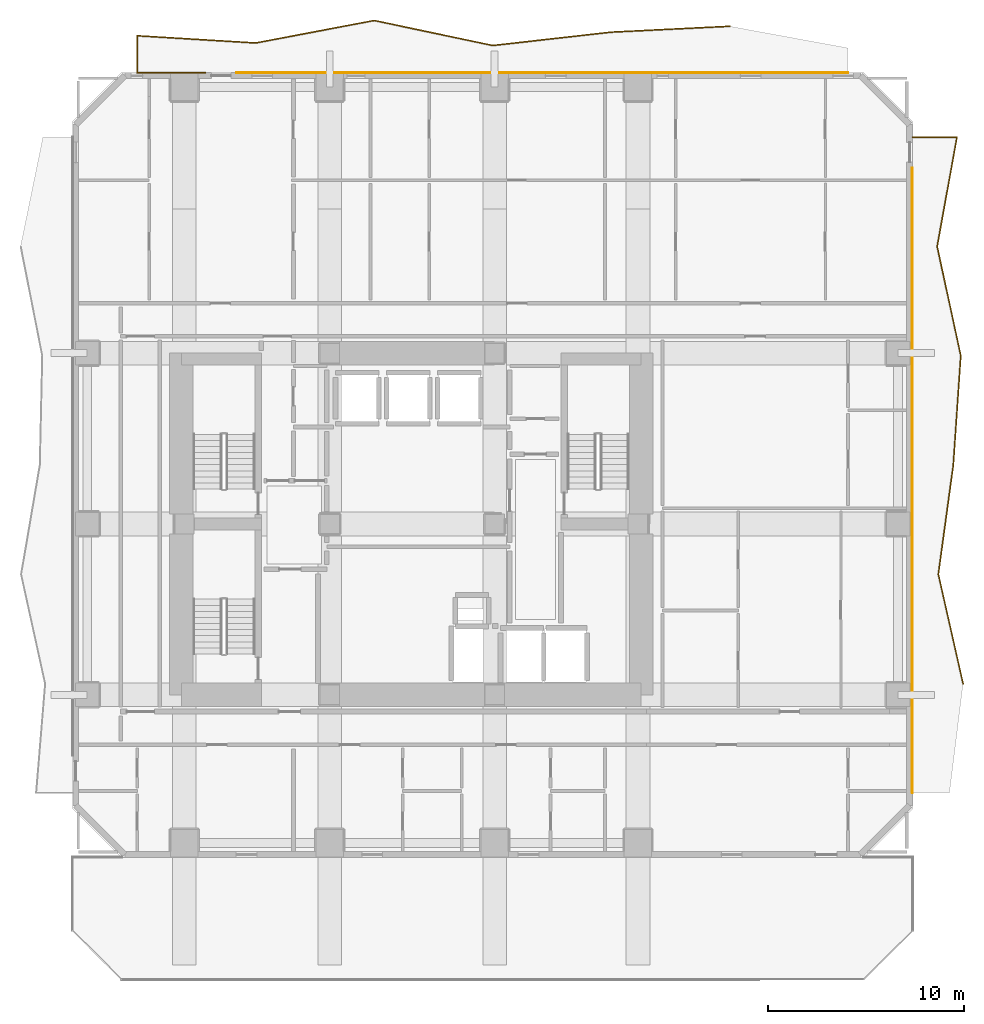
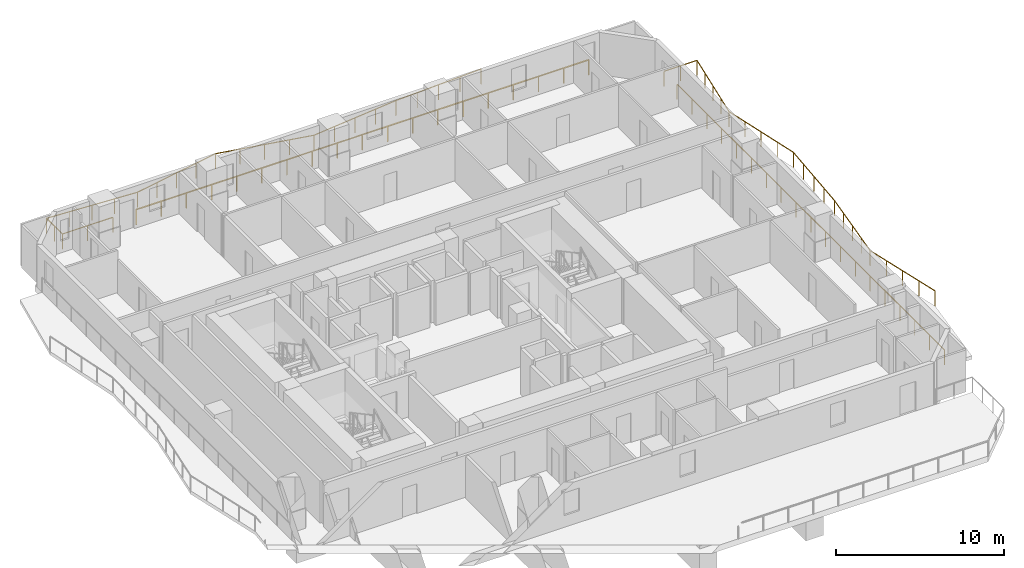
# One storey, part 11 of 11: 4 railings.
"""IFC4 building model written with IfcOpenShell, lengths in metres."""

import ifcopenshell
import ifcopenshell.guid

model = None  # the IFC model being written
_history = None  # IfcOwnerHistory: only IFC2X3 demands one
_inside = {}  # id of a spatial element -> (the spatial element, [elements in it])
_under = {}  # id of a project, library or spatial element -> (it, [spatial elements below it])
_declared = {}  # id of a project -> (the project, [libraries it declares])
_typed = {}  # id of a type object -> (the type object, [elements of that type])
_made_of = {}  # id of a material, layer set ... -> (it, [elements and type objects made of it])


def new_model(schema):
    """Start an empty IFC model of exactly this schema.

    Asked for "IFC4X3", IfcOpenShell would pick the latest addendum, in which some entities
    have other attributes; the version numbers below select the first issue.
    IFC2X3 requires an IfcOwnerHistory on every rooted entity: one is made here for all.
    """
    global model, _history
    if schema == "IFC4X3":
        model = ifcopenshell.file(schema_version=(4, 3, 0, 0))
    else:
        model = ifcopenshell.file(schema=schema)
    _inside.clear()
    _under.clear()
    _declared.clear()
    _typed.clear()
    _made_of.clear()
    _history = None
    if model.schema == "IFC2X3":
        org = make("IfcOrganization", Name="unknown")
        user = make(
            "IfcPersonAndOrganization",
            ThePerson=make("IfcPerson", FamilyName="unknown"),
            TheOrganization=org,
        )
        app = make(
            "IfcApplication",
            ApplicationDeveloper=org,
            Version="unknown",
            ApplicationFullName="unknown",
            ApplicationIdentifier="unknown",
        )
        _history = make(
            "IfcOwnerHistory",
            OwningUser=user,
            OwningApplication=app,
            ChangeAction="ADDED",
            CreationDate=0,
        )
    return model


def make(cls, **values):
    """One entity of the class cls with the attributes given. An attribute that is None is left unset."""
    return model.create_entity(
        cls, **{name: value for name, value in values.items() if value is not None}
    )


def rooted(cls, **values):
    """An entity with a GlobalId (a new one), such as an element, a storey or a relation."""
    return make(cls, GlobalId=ifcopenshell.guid.new(), OwnerHistory=_history, **values)


def si_unit(unit_type, name, prefix=None):
    """IfcSIUnit, for example si_unit("LENGTHUNIT", "METRE", prefix="MILLI")."""
    return make("IfcSIUnit", UnitType=unit_type, Prefix=prefix, Name=name)


def assignment(units):
    """IfcUnitAssignment: the units of a project."""
    return None if units is None else make("IfcUnitAssignment", Units=units)


def point(xyz):
    """IfcCartesianPoint."""
    return None if xyz is None else make("IfcCartesianPoint", Coordinates=xyz)


def direction(xyz):
    """IfcDirection."""
    return None if xyz is None else make("IfcDirection", DirectionRatios=xyz)


def frame(location, z_axis=None, x_axis=None):
    """IfcAxis2Placement3D, a coordinate frame: its origin and axes. An axis left out is left unset."""
    return make(
        "IfcAxis2Placement3D",
        Location=point(location),
        Axis=direction(z_axis),
        RefDirection=direction(x_axis),
    )


def frame_2d(location, x_axis=None):
    """IfcAxis2Placement2D, a coordinate frame in the plane: its origin and x axis."""
    return make(
        "IfcAxis2Placement2D", Location=point(location), RefDirection=direction(x_axis)
    )


def origin():
    """The frame at (0, 0, 0) with its axes left unset."""
    return frame((0.0, 0.0, 0.0))


def origin_2d():
    """The frame at (0, 0) in the plane with its x axis left unset."""
    return frame_2d((0.0, 0.0))


def place(relative_to, where):
    """IfcLocalPlacement: puts the frame where relative to a parent placement (None: the world)."""
    return make(
        "IfcLocalPlacement", PlacementRelTo=relative_to, RelativePlacement=where
    )


def context(
    kind, dimensions, precision=None, world=None, true_north=None, identifier=None
):
    """IfcGeometricRepresentationContext, for example the 3D "Model" context."""
    return make(
        "IfcGeometricRepresentationContext",
        ContextIdentifier=identifier,
        ContextType=kind,
        CoordinateSpaceDimension=dimensions,
        Precision=precision,
        WorldCoordinateSystem=world,
        TrueNorth=true_north,
    )


def subcontext(parent, identifier, kind, view, scale=None):
    """IfcGeometricRepresentationSubContext, for example "Body" below "Model"."""
    return make(
        "IfcGeometricRepresentationSubContext",
        ContextIdentifier=identifier,
        ContextType=kind,
        ParentContext=parent,
        TargetScale=scale,
        TargetView=view,
    )


def project(units=None, contexts=None):
    """IfcProject with its units and contexts."""
    return rooted(
        "IfcProject",
        Name="project",
        RepresentationContexts=contexts,
        UnitsInContext=assignment(units),
    )


def spatial(cls, under=None, at=None, **own):
    """A site, building, storey or space (cls), placed at a placement, below another one or the project."""
    s = rooted(cls, ObjectPlacement=at, **own)
    if under is not None:
        _under.setdefault(under.id(), (under, []))[1].append(s)
    return s


def profile(cls, at=None, kind="AREA", **sizes):
    """A parametric profile (cls). Its sizes go by their IFC names, for example OverallWidth=200.0."""
    return make(cls, ProfileType=kind, Position=at, **sizes)


def rectangle(**sizes):
    """IfcRectangleProfileDef."""
    return profile("IfcRectangleProfileDef", **sizes)


def extrude(swept, where, along, depth):
    """IfcExtrudedAreaSolid: the profile swept, set in the frame where, extruded along a direction by depth."""
    return make(
        "IfcExtrudedAreaSolid",
        SweptArea=swept,
        Position=where,
        ExtrudedDirection=direction(along),
        Depth=depth,
    )


def shape(context_of_items, identifier, shape_type, items):
    """IfcShapeRepresentation: the items that make up one representation, for example the "Body"."""
    return make(
        "IfcShapeRepresentation",
        ContextOfItems=context_of_items,
        RepresentationIdentifier=identifier,
        RepresentationType=shape_type,
        Items=items,
    )


def material(Name=None, Category=None):
    """IfcMaterial."""
    return make("IfcMaterial", Name=Name, Category=Category)


def made_of(thing, what):
    """Note that an element or type object is made of a material, layer set ...; save() writes the relation."""
    if what is not None:
        _made_of.setdefault(what.id(), (what, []))[1].append(thing)
    return thing


def type_object(cls, material=None, **own):
    """A type object (cls), such as IfcWallType, which elements share."""
    return made_of(rooted(cls, **own), material)


def element(
    cls,
    number,
    at=None,
    inside=None,
    cuts=None,
    type_object=None,
    material=None,
    context=None,
    identifier="Body",
    shape_type=None,
    held_by="IfcProductDefinitionShape",
    body=None,
    shapes=None,
    **own,
):
    """One element of the class cls, such as IfcWall. Its Tag is "e" and its number.

    at: its placement. inside: the storey or other place that contains it. cuts: it is an
    opening in that element (IfcRelVoidsElement). A single representation is given by context,
    identifier, shape_type and body (its items); several are given by shapes. held_by: the class
    of the entity that holds the representations. save() writes the other relations.
    """
    e = rooted(cls, Tag="e%d" % number, ObjectPlacement=at, **own)
    if body is not None:
        shapes = [shape(context, identifier, shape_type, body)]
    if shapes is not None:
        e.Representation = make(held_by, Representations=shapes)
    if inside is not None:
        _inside.setdefault(inside.id(), (inside, []))[1].append(e)
    if cuts is not None:
        rooted(
            "IfcRelVoidsElement", RelatingBuildingElement=cuts, RelatedOpeningElement=e
        )
    if type_object is not None:
        _typed.setdefault(type_object.id(), (type_object, []))[1].append(e)
    return made_of(e, material)


def aggregate(whole, parts):
    """IfcRelAggregates: a whole, such as a stair, and the parts it consists of."""
    return rooted("IfcRelAggregates", RelatingObject=whole, RelatedObjects=parts)


def save(model, path):
    """Write the relations noted so far, then the file.

    IfcRelAggregates (storeys below a building ...), IfcRelContainedInSpatialStructure (elements
    in a storey), IfcRelDefinesByType, IfcRelAssociatesMaterial and IfcRelDeclares: one each for
    every whole, place, type object, material and project.
    """
    for whole, parts in _under.values():
        aggregate(whole, parts)
    for where, things in _inside.values():
        rooted(
            "IfcRelContainedInSpatialStructure",
            RelatedElements=things,
            RelatingStructure=where,
        )
    for kind, things in _typed.values():
        rooted("IfcRelDefinesByType", RelatedObjects=things, RelatingType=kind)
    for what, things in _made_of.values():
        rooted("IfcRelAssociatesMaterial", RelatedObjects=things, RelatingMaterial=what)
    for by, libraries in _declared.values():
        rooted("IfcRelDeclares", RelatingContext=by, RelatedDefinitions=libraries)
    model.write(path)


model = new_model("IFC4")

# Units and contexts
model_context = context("Model", 3, precision=1e-05, world=origin(), true_north=direction((0.0, 1.0)))
body_context = subcontext(model_context, "Body", "Model", "MODEL_VIEW")
ifc_project = project(units=[si_unit("LENGTHUNIT", "METRE"), si_unit("AREAUNIT", "SQUARE_METRE"), si_unit("VOLUMEUNIT", "CUBIC_METRE"), si_unit("PLANEANGLEUNIT", "RADIAN"), si_unit("MASSUNIT", "GRAM", prefix="KILO")], contexts=[model_context])

# Site, building, storey
site_placement = place(None, origin())
site = spatial("IfcSite", under=ifc_project, at=site_placement, CompositionType="ELEMENT")
building_placement = place(site_placement, origin())
building = spatial("IfcBuilding", under=site, at=building_placement, Name="Solanera Arch Residences", CompositionType="ELEMENT")
storey_placement = place(building_placement, frame((0.0, 0.0, 61.840087890625)))
storey = spatial("IfcBuildingStorey", under=building, at=storey_placement, Name="L17", CompositionType="ELEMENT", Elevation=61.840087890625)

# Railings
ifc_material = material(Name="Steel S355 (ASTM A992 / A572 Grade 50)", Category="steel")
railing_type = type_object("IfcRailingType", Name="Balustrade Railing BL-1100", PredefinedType="BALUSTRADE", material=ifc_material)
railing_1_placement = place(storey_placement, frame((41.1669921875, 56.050048828125, 0.0)))
element("IfcRailing", 1, at=railing_1_placement, inside=storey, type_object=railing_type, Name="L17 N Balcony Balustrade 1", PredefinedType="BALUSTRADE", context=body_context, shape_type="SweptSolid", body=[
    extrude(rectangle(XDim=0.048095703125, YDim=0.048095703125, at=origin_2d()), frame((0.0, 0.0, 1.09619140625), z_axis=(-0.998773911962, -0.049504270368, 0.0), x_axis=(0.049504270368, -0.998773911962, 0.0)), (0.0, 0.0, 1.0), 6.041259765625),
    extrude(rectangle(XDim=0.048095703125, YDim=0.048095703125, at=origin_2d()), frame((-6.033935546875, -0.299072265625, 1.09619140625), z_axis=(-0.993708903149, -0.111993820374, 0.0), x_axis=(0.111993820374, -0.993708903149, 0.0)), (0.0, 0.0, 1.0), 6.071044921875),
    extrude(rectangle(XDim=0.048095703125, YDim=0.048095703125, at=origin_2d()), frame((-12.06689453125, -0.97900390625, 1.09619140625), z_axis=(-0.978458106431, 0.206445474544, 0.0), x_axis=(-0.206445474544, -0.978458106431, 0.0)), (0.0, 0.0, 1.0), 6.166015625),
    extrude(rectangle(XDim=0.048095703125, YDim=0.048095703125, at=origin_2d()), frame((-18.10009765625, 0.2939453125, 1.09619140625), z_axis=(-0.982496184627, -0.186282707714, 0.0), x_axis=(0.186282707714, -0.982496184627, 0.0)), (0.0, 0.0, 1.0), 6.141357421875),
    extrude(rectangle(XDim=0.048095703125, YDim=0.048095703125, at=origin_2d()), frame((-24.134033203125, -0.85009765625, 1.09619140625), z_axis=(-0.998165169029, 0.060549940851, 0.0), x_axis=(-0.060549940851, -0.998165169029, 0.0)), (0.0, 0.0, 1.0), 6.0439453125),
    extrude(rectangle(XDim=0.048095703125, YDim=0.048095703125, at=origin_2d()), frame((-30.1669921875, -0.484130859375, 1.09619140625), z_axis=(0.0, -1.0, 0.0), x_axis=(1.0, 0.0, 0.0)), (0.0, 0.0, 1.0), 1.885986328125),
    extrude(rectangle(XDim=0.048095703125, YDim=0.048095703125, at=origin_2d()), frame((-30.1669921875, -2.3701171875, 1.09619140625), z_axis=(1.0, 0.0, 0.0), x_axis=(0.0, 1.0, 0.0)), (0.0, 0.0, 1.0), 3.468017578125),
    extrude(rectangle(XDim=0.0419921875, YDim=0.0419921875, at=origin_2d()), origin(), (0.0, 0.0, 1.0), 1.072021484375),
    extrude(rectangle(XDim=0.0419921875, YDim=0.0419921875, at=origin_2d()), frame((-1.508544921875, -0.07470703125, 0.0)), (0.0, 0.0, 1.0), 1.072021484375),
    extrude(rectangle(XDim=0.0419921875, YDim=0.0419921875, at=origin_2d()), frame((-3.01708984375, -0.1494140625, 0.0)), (0.0, 0.0, 1.0), 1.072021484375),
    extrude(rectangle(XDim=0.0419921875, YDim=0.0419921875, at=origin_2d()), frame((-4.525390625, -0.224365234375, 0.0)), (0.0, 0.0, 1.0), 1.072021484375),
    extrude(rectangle(XDim=0.0419921875, YDim=0.0419921875, at=origin_2d()), frame((-6.033935546875, -0.299072265625, 0.0)), (0.0, 0.0, 1.0), 1.072021484375),
    extrude(rectangle(XDim=0.0419921875, YDim=0.0419921875, at=origin_2d()), frame((-7.542236328125, -0.468994140625, 0.0)), (0.0, 0.0, 1.0), 1.072021484375),
    extrude(rectangle(XDim=0.0419921875, YDim=0.0419921875, at=origin_2d()), frame((-9.05029296875, -0.63916015625, 0.0)), (0.0, 0.0, 1.0), 1.072021484375),
    extrude(rectangle(XDim=0.0419921875, YDim=0.0419921875, at=origin_2d()), frame((-10.55859375, -0.80908203125, 0.0)), (0.0, 0.0, 1.0), 1.072021484375),
    extrude(rectangle(XDim=0.0419921875, YDim=0.0419921875, at=origin_2d()), frame((-12.06689453125, -0.97900390625, 0.0)), (0.0, 0.0, 1.0), 1.072021484375),
    extrude(rectangle(XDim=0.0419921875, YDim=0.0419921875, at=origin_2d()), frame((-13.5751953125, -0.66064453125, 0.0)), (0.0, 0.0, 1.0), 1.072021484375),
    extrude(rectangle(XDim=0.0419921875, YDim=0.0419921875, at=origin_2d()), frame((-15.08349609375, -0.342529296875, 0.0)), (0.0, 0.0, 1.0), 1.072021484375),
    extrude(rectangle(XDim=0.0419921875, YDim=0.0419921875, at=origin_2d()), frame((-16.591796875, -0.0244140625, 0.0)), (0.0, 0.0, 1.0), 1.072021484375),
    extrude(rectangle(XDim=0.0419921875, YDim=0.0419921875, at=origin_2d()), frame((-18.10009765625, 0.2939453125, 0.0)), (0.0, 0.0, 1.0), 1.072021484375),
    extrude(rectangle(XDim=0.0419921875, YDim=0.0419921875, at=origin_2d()), frame((-19.608642578125, 0.0078125, 0.0)), (0.0, 0.0, 1.0), 1.072021484375),
    extrude(rectangle(XDim=0.0419921875, YDim=0.0419921875, at=origin_2d()), frame((-21.1171875, -0.278076171875, 0.0)), (0.0, 0.0, 1.0), 1.072021484375),
    extrude(rectangle(XDim=0.0419921875, YDim=0.0419921875, at=origin_2d()), frame((-22.62548828125, -0.56396484375, 0.0)), (0.0, 0.0, 1.0), 1.072021484375),
    extrude(rectangle(XDim=0.0419921875, YDim=0.0419921875, at=origin_2d()), frame((-24.134033203125, -0.85009765625, 0.0)), (0.0, 0.0, 1.0), 1.072021484375),
    extrude(rectangle(XDim=0.0419921875, YDim=0.0419921875, at=origin_2d()), frame((-25.642333984375, -0.758544921875, 0.0)), (0.0, 0.0, 1.0), 1.072021484375),
    extrude(rectangle(XDim=0.0419921875, YDim=0.0419921875, at=origin_2d()), frame((-27.150390625, -0.6669921875, 0.0)), (0.0, 0.0, 1.0), 1.072021484375),
    extrude(rectangle(XDim=0.0419921875, YDim=0.0419921875, at=origin_2d()), frame((-28.65869140625, -0.57568359375, 0.0)), (0.0, 0.0, 1.0), 1.072021484375),
    extrude(rectangle(XDim=0.0419921875, YDim=0.0419921875, at=origin_2d()), frame((-30.1669921875, -0.484130859375, 0.0)), (0.0, 0.0, 1.0), 1.072021484375),
    extrude(rectangle(XDim=0.0419921875, YDim=0.0419921875, at=origin_2d()), frame((-30.1669921875, -1.42724609375, 0.0)), (0.0, 0.0, 1.0), 1.072021484375),
    extrude(rectangle(XDim=0.0419921875, YDim=0.0419921875, at=origin_2d()), frame((-30.1669921875, -2.3701171875, 0.0)), (0.0, 0.0, 1.0), 1.072021484375),
    extrude(rectangle(XDim=0.0419921875, YDim=0.0419921875, at=origin_2d()), frame((-28.43310546875, -2.3701171875, 0.0)), (0.0, 0.0, 1.0), 1.072021484375),
    extrude(rectangle(XDim=0.0419921875, YDim=0.0419921875, at=origin_2d()), frame((-26.698974609375, -2.3701171875, 0.0)), (0.0, 0.0, 1.0), 1.072021484375),
])
railing_2_placement = place(storey_placement, frame((16.068115234375, 53.679931640625, 0.0)))
element("IfcRailing", 2, at=railing_2_placement, inside=storey, type_object=railing_type, Name="L17 N Balcony Balustrade 2", PredefinedType="BALUSTRADE", context=body_context, shape_type="SweptSolid", body=[
    extrude(rectangle(XDim=0.048095703125, YDim=0.048095703125, at=origin_2d()), frame((0.0, 0.0, 1.09619140625), z_axis=(1.0, 0.0, 0.0), x_axis=(0.0, 1.0, 0.0)), (0.0, 0.0, 1.0), 31.1318359375),
    extrude(rectangle(XDim=0.0419921875, YDim=0.0419921875, at=origin_2d()), origin(), (0.0, 0.0, 1.0), 1.072021484375),
    extrude(rectangle(XDim=0.0419921875, YDim=0.0419921875, at=origin_2d()), frame((1.7294921875, 0.0, 0.0)), (0.0, 0.0, 1.0), 1.072021484375),
    extrude(rectangle(XDim=0.0419921875, YDim=0.0419921875, at=origin_2d()), frame((3.458984375, 0.0, 0.0)), (0.0, 0.0, 1.0), 1.072021484375),
    extrude(rectangle(XDim=0.0419921875, YDim=0.0419921875, at=origin_2d()), frame((5.188720703125, 0.0, 0.0)), (0.0, 0.0, 1.0), 1.072021484375),
    extrude(rectangle(XDim=0.0419921875, YDim=0.0419921875, at=origin_2d()), frame((6.918212890625, 0.0, 0.0)), (0.0, 0.0, 1.0), 1.072021484375),
    extrude(rectangle(XDim=0.0419921875, YDim=0.0419921875, at=origin_2d()), frame((8.647705078125, 0.0, 0.0)), (0.0, 0.0, 1.0), 1.072021484375),
    extrude(rectangle(XDim=0.0419921875, YDim=0.0419921875, at=origin_2d()), frame((10.377197265625, 0.0, 0.0)), (0.0, 0.0, 1.0), 1.072021484375),
    extrude(rectangle(XDim=0.0419921875, YDim=0.0419921875, at=origin_2d()), frame((12.10693359375, 0.0, 0.0)), (0.0, 0.0, 1.0), 1.072021484375),
    extrude(rectangle(XDim=0.0419921875, YDim=0.0419921875, at=origin_2d()), frame((13.83642578125, 0.0, 0.0)), (0.0, 0.0, 1.0), 1.072021484375),
    extrude(rectangle(XDim=0.0419921875, YDim=0.0419921875, at=origin_2d()), frame((15.56591796875, 0.0, 0.0)), (0.0, 0.0, 1.0), 1.072021484375),
    extrude(rectangle(XDim=0.0419921875, YDim=0.0419921875, at=origin_2d()), frame((17.29541015625, 0.0, 0.0)), (0.0, 0.0, 1.0), 1.072021484375),
    extrude(rectangle(XDim=0.0419921875, YDim=0.0419921875, at=origin_2d()), frame((19.02490234375, 0.0, 0.0)), (0.0, 0.0, 1.0), 1.072021484375),
    extrude(rectangle(XDim=0.0419921875, YDim=0.0419921875, at=origin_2d()), frame((20.754638671875, 0.0, 0.0)), (0.0, 0.0, 1.0), 1.072021484375),
    extrude(rectangle(XDim=0.0419921875, YDim=0.0419921875, at=origin_2d()), frame((22.484130859375, 0.0, 0.0)), (0.0, 0.0, 1.0), 1.072021484375),
    extrude(rectangle(XDim=0.0419921875, YDim=0.0419921875, at=origin_2d()), frame((24.213623046875, 0.0, 0.0)), (0.0, 0.0, 1.0), 1.072021484375),
    extrude(rectangle(XDim=0.0419921875, YDim=0.0419921875, at=origin_2d()), frame((25.943115234375, 0.0, 0.0)), (0.0, 0.0, 1.0), 1.072021484375),
    extrude(rectangle(XDim=0.0419921875, YDim=0.0419921875, at=origin_2d()), frame((27.6728515625, 0.0, 0.0)), (0.0, 0.0, 1.0), 1.072021484375),
    extrude(rectangle(XDim=0.0419921875, YDim=0.0419921875, at=origin_2d()), frame((29.40234375, 0.0, 0.0)), (0.0, 0.0, 1.0), 1.072021484375),
    extrude(rectangle(XDim=0.0419921875, YDim=0.0419921875, at=origin_2d()), frame((31.1318359375, 0.0, 0.0)), (0.0, 0.0, 1.0), 1.072021484375),
])
railing_3_placement = place(storey_placement, frame((53.05908203125, 22.56689453125, 0.0)))
element("IfcRailing", 3, at=railing_3_placement, inside=storey, type_object=railing_type, Name="L17 E Balcony Balustrade 1", PredefinedType="BALUSTRADE", context=body_context, shape_type="SweptSolid", body=[
    extrude(rectangle(XDim=0.048095703125, YDim=0.048095703125, at=origin_2d()), frame((0.0, 0.0, 1.09619140625), z_axis=(-0.22078342369, 0.975322859275, 0.0), x_axis=(-0.975322859275, -0.22078342369, 0.0)), (0.0, 0.0, 1.0), 5.70703125),
    extrude(rectangle(XDim=0.048095703125, YDim=0.048095703125, at=origin_2d()), frame((-1.260009765625, 5.566162109375, 1.09619140625), z_axis=(0.135438952985, 0.990785693283, 0.0), x_axis=(-0.990785693283, 0.135438952985, 0.0)), (0.0, 0.0, 1.0), 5.61865234375),
    extrude(rectangle(XDim=0.048095703125, YDim=0.048095703125, at=origin_2d()), frame((-0.4990234375, 11.133056640625, 1.09619140625), z_axis=(0.068426707555, 0.997656146021, 0.0), x_axis=(-0.997656146021, 0.068426707555, 0.0)), (0.0, 0.0, 1.0), 5.580322265625),
    extrude(rectangle(XDim=0.048095703125, YDim=0.048095703125, at=origin_2d()), frame((-0.1171875, 16.7001953125, 1.09619140625), z_axis=(-0.211074845523, 0.977469902139, 0.0), x_axis=(-0.977469902139, -0.211074845523, 0.0)), (0.0, 0.0, 1.0), 5.694091796875),
    extrude(rectangle(XDim=0.048095703125, YDim=0.048095703125, at=origin_2d()), frame((-1.319091796875, 22.26611328125, 1.09619140625), z_axis=(0.177848543581, 0.984057872051, 0.0), x_axis=(-0.984057872051, 0.177848543581, 0.0)), (0.0, 0.0, 1.0), 5.656982421875),
    extrude(rectangle(XDim=0.048095703125, YDim=0.048095703125, at=origin_2d()), frame((-0.31298828125, 27.8330078125, 1.09619140625), z_axis=(-1.0, 0.0, 0.0), x_axis=(0.0, -1.0, 0.0)), (0.0, 0.0, 1.0), 2.26611328125),
    extrude(rectangle(XDim=0.0419921875, YDim=0.0419921875, at=origin_2d()), origin(), (0.0, 0.0, 1.0), 1.072021484375),
    extrude(rectangle(XDim=0.0419921875, YDim=0.0419921875, at=origin_2d()), frame((-0.31494140625, 1.3916015625, 0.0)), (0.0, 0.0, 1.0), 1.072021484375),
    extrude(rectangle(XDim=0.0419921875, YDim=0.0419921875, at=origin_2d()), frame((-0.6298828125, 2.783203125, 0.0)), (0.0, 0.0, 1.0), 1.072021484375),
    extrude(rectangle(XDim=0.0419921875, YDim=0.0419921875, at=origin_2d()), frame((-0.945068359375, 4.174560546875, 0.0)), (0.0, 0.0, 1.0), 1.072021484375),
    extrude(rectangle(XDim=0.0419921875, YDim=0.0419921875, at=origin_2d()), frame((-1.260009765625, 5.566162109375, 0.0)), (0.0, 0.0, 1.0), 1.072021484375),
    extrude(rectangle(XDim=0.0419921875, YDim=0.0419921875, at=origin_2d()), frame((-1.06982421875, 6.9580078125, 0.0)), (0.0, 0.0, 1.0), 1.072021484375),
    extrude(rectangle(XDim=0.0419921875, YDim=0.0419921875, at=origin_2d()), frame((-0.87939453125, 8.349609375, 0.0)), (0.0, 0.0, 1.0), 1.072021484375),
    extrude(rectangle(XDim=0.0419921875, YDim=0.0419921875, at=origin_2d()), frame((-0.689208984375, 9.7412109375, 0.0)), (0.0, 0.0, 1.0), 1.072021484375),
    extrude(rectangle(XDim=0.0419921875, YDim=0.0419921875, at=origin_2d()), frame((-0.4990234375, 11.133056640625, 0.0)), (0.0, 0.0, 1.0), 1.072021484375),
    extrude(rectangle(XDim=0.0419921875, YDim=0.0419921875, at=origin_2d()), frame((-0.403564453125, 12.52490234375, 0.0)), (0.0, 0.0, 1.0), 1.072021484375),
    extrude(rectangle(XDim=0.0419921875, YDim=0.0419921875, at=origin_2d()), frame((-0.30810546875, 13.91650390625, 0.0)), (0.0, 0.0, 1.0), 1.072021484375),
    extrude(rectangle(XDim=0.0419921875, YDim=0.0419921875, at=origin_2d()), frame((-0.212646484375, 15.308349609375, 0.0)), (0.0, 0.0, 1.0), 1.072021484375),
    extrude(rectangle(XDim=0.0419921875, YDim=0.0419921875, at=origin_2d()), frame((-0.1171875, 16.7001953125, 0.0)), (0.0, 0.0, 1.0), 1.072021484375),
    extrude(rectangle(XDim=0.0419921875, YDim=0.0419921875, at=origin_2d()), frame((-0.417724609375, 18.091796875, 0.0)), (0.0, 0.0, 1.0), 1.072021484375),
    extrude(rectangle(XDim=0.0419921875, YDim=0.0419921875, at=origin_2d()), frame((-0.71826171875, 19.483154296875, 0.0)), (0.0, 0.0, 1.0), 1.072021484375),
    extrude(rectangle(XDim=0.0419921875, YDim=0.0419921875, at=origin_2d()), frame((-1.0185546875, 20.87451171875, 0.0)), (0.0, 0.0, 1.0), 1.072021484375),
    extrude(rectangle(XDim=0.0419921875, YDim=0.0419921875, at=origin_2d()), frame((-1.319091796875, 22.26611328125, 0.0)), (0.0, 0.0, 1.0), 1.072021484375),
    extrude(rectangle(XDim=0.0419921875, YDim=0.0419921875, at=origin_2d()), frame((-1.067626953125, 23.65771484375, 0.0)), (0.0, 0.0, 1.0), 1.072021484375),
    extrude(rectangle(XDim=0.0419921875, YDim=0.0419921875, at=origin_2d()), frame((-0.81591796875, 25.049560546875, 0.0)), (0.0, 0.0, 1.0), 1.072021484375),
    extrude(rectangle(XDim=0.0419921875, YDim=0.0419921875, at=origin_2d()), frame((-0.564453125, 26.44140625, 0.0)), (0.0, 0.0, 1.0), 1.072021484375),
    extrude(rectangle(XDim=0.0419921875, YDim=0.0419921875, at=origin_2d()), frame((-0.31298828125, 27.8330078125, 0.0)), (0.0, 0.0, 1.0), 1.072021484375),
    extrude(rectangle(XDim=0.0419921875, YDim=0.0419921875, at=origin_2d()), frame((-1.446044921875, 27.8330078125, 0.0)), (0.0, 0.0, 1.0), 1.072021484375),
    extrude(rectangle(XDim=0.0419921875, YDim=0.0419921875, at=origin_2d()), frame((-2.5791015625, 27.8330078125, 0.0)), (0.0, 0.0, 1.0), 1.072021484375),
])
railing_4_placement = place(storey_placement, frame((50.47998046875, 48.833984375, 0.0)))
element("IfcRailing", 4, at=railing_4_placement, inside=storey, type_object=railing_type, Name="L17 E Balcony Balustrade 2", PredefinedType="BALUSTRADE", context=body_context, shape_type="SweptSolid", body=[
    extrude(rectangle(XDim=0.048095703125, YDim=0.048095703125, at=origin_2d()), frame((0.0, 0.0, 1.09619140625), z_axis=(0.0, -1.0, 0.0), x_axis=(1.0, 0.0, 0.0)), (0.0, 0.0, 1.0), 31.833984375),
    extrude(rectangle(XDim=0.0419921875, YDim=0.0419921875, at=origin_2d()), origin(), (0.0, 0.0, 1.0), 1.072021484375),
    extrude(rectangle(XDim=0.0419921875, YDim=0.0419921875, at=origin_2d()), frame((0.0, -1.7685546875, 0.0)), (0.0, 0.0, 1.0), 1.072021484375),
    extrude(rectangle(XDim=0.0419921875, YDim=0.0419921875, at=origin_2d()), frame((0.0, -3.537109375, 0.0)), (0.0, 0.0, 1.0), 1.072021484375),
    extrude(rectangle(XDim=0.0419921875, YDim=0.0419921875, at=origin_2d()), frame((0.0, -5.3056640625, 0.0)), (0.0, 0.0, 1.0), 1.072021484375),
    extrude(rectangle(XDim=0.0419921875, YDim=0.0419921875, at=origin_2d()), frame((0.0, -7.07421875, 0.0)), (0.0, 0.0, 1.0), 1.072021484375),
    extrude(rectangle(XDim=0.0419921875, YDim=0.0419921875, at=origin_2d()), frame((0.0, -8.8427734375, 0.0)), (0.0, 0.0, 1.0), 1.072021484375),
    extrude(rectangle(XDim=0.0419921875, YDim=0.0419921875, at=origin_2d()), frame((0.0, -10.611328125, 0.0)), (0.0, 0.0, 1.0), 1.072021484375),
    extrude(rectangle(XDim=0.0419921875, YDim=0.0419921875, at=origin_2d()), frame((0.0, -12.3798828125, 0.0)), (0.0, 0.0, 1.0), 1.072021484375),
    extrude(rectangle(XDim=0.0419921875, YDim=0.0419921875, at=origin_2d()), frame((0.0, -14.1484375, 0.0)), (0.0, 0.0, 1.0), 1.072021484375),
    extrude(rectangle(XDim=0.0419921875, YDim=0.0419921875, at=origin_2d()), frame((0.0, -15.9169921875, 0.0)), (0.0, 0.0, 1.0), 1.072021484375),
    extrude(rectangle(XDim=0.0419921875, YDim=0.0419921875, at=origin_2d()), frame((0.0, -17.685546875, 0.0)), (0.0, 0.0, 1.0), 1.072021484375),
    extrude(rectangle(XDim=0.0419921875, YDim=0.0419921875, at=origin_2d()), frame((0.0, -19.4541015625, 0.0)), (0.0, 0.0, 1.0), 1.072021484375),
    extrude(rectangle(XDim=0.0419921875, YDim=0.0419921875, at=origin_2d()), frame((0.0, -21.22265625, 0.0)), (0.0, 0.0, 1.0), 1.072021484375),
    extrude(rectangle(XDim=0.0419921875, YDim=0.0419921875, at=origin_2d()), frame((0.0, -22.9912109375, 0.0)), (0.0, 0.0, 1.0), 1.072021484375),
    extrude(rectangle(XDim=0.0419921875, YDim=0.0419921875, at=origin_2d()), frame((0.0, -24.759765625, 0.0)), (0.0, 0.0, 1.0), 1.072021484375),
    extrude(rectangle(XDim=0.0419921875, YDim=0.0419921875, at=origin_2d()), frame((0.0, -26.5283203125, 0.0)), (0.0, 0.0, 1.0), 1.072021484375),
    extrude(rectangle(XDim=0.0419921875, YDim=0.0419921875, at=origin_2d()), frame((0.0, -28.296875, 0.0)), (0.0, 0.0, 1.0), 1.072021484375),
    extrude(rectangle(XDim=0.0419921875, YDim=0.0419921875, at=origin_2d()), frame((0.0, -30.0654296875, 0.0)), (0.0, 0.0, 1.0), 1.072021484375),
    extrude(rectangle(XDim=0.0419921875, YDim=0.0419921875, at=origin_2d()), frame((0.0, -31.833984375, 0.0)), (0.0, 0.0, 1.0), 1.072021484375),
])

save(model, "model.ifc")
